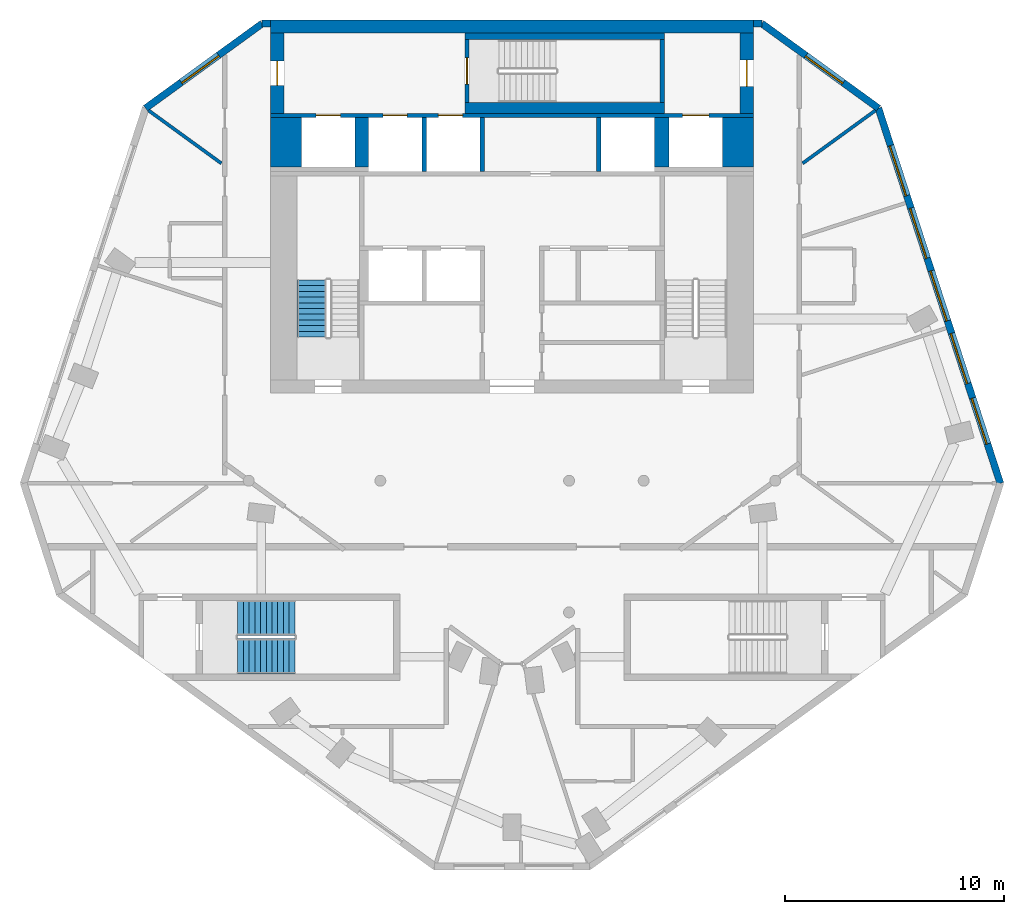
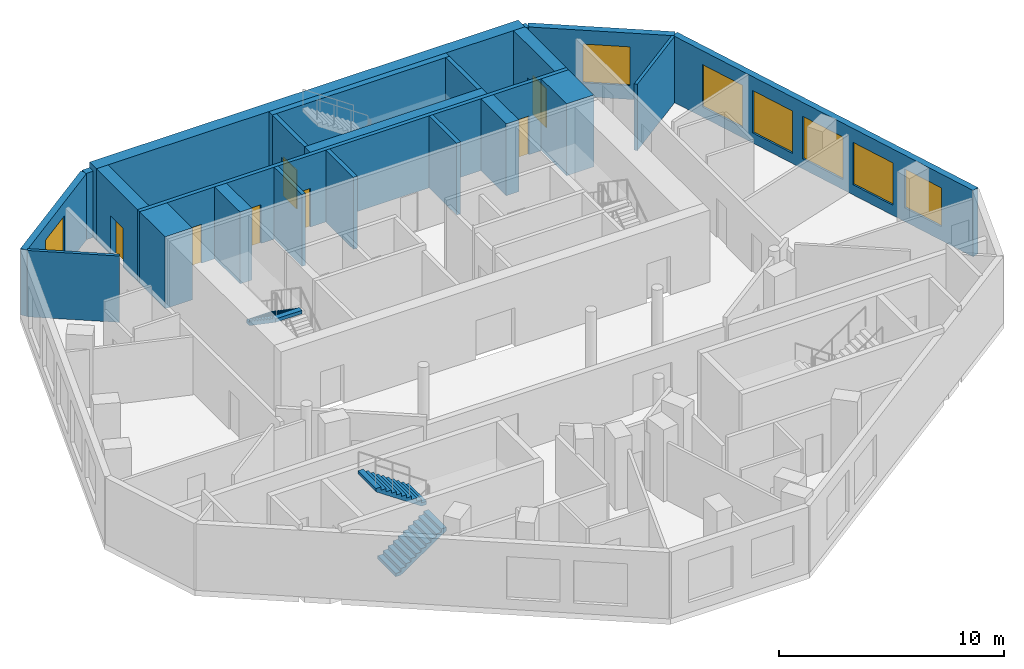
# One storey, part 5 of 8: 22 walls, 7 doors, 7 windows, 3 stair flights, 14 openings, 2 elements without a shape of their own.
"""IFC4 building model written with IfcOpenShell, lengths in metres."""

from ifc_helpers import new_model, si_unit, direction, frame, frame_2d, origin, place, context, subcontext, project, spatial, polyline, rectangle, outline, extrude, material, layer, layer_set, type_object, element, fill, aggregate, save


model = new_model("IFC4")

# Units and contexts
model_context = context("Model", 3, precision=1e-05, world=origin(), true_north=direction((0.0, 1.0)))
body_context = subcontext(model_context, "Body", "Model", "MODEL_VIEW")
ifc_project = project(units=[si_unit("LENGTHUNIT", "METRE"), si_unit("AREAUNIT", "SQUARE_METRE"), si_unit("VOLUMEUNIT", "CUBIC_METRE"), si_unit("PLANEANGLEUNIT", "RADIAN"), si_unit("MASSUNIT", "GRAM", prefix="KILO")], contexts=[model_context])

# Site, building, storey
site_placement = place(None, origin())
site = spatial("IfcSite", under=ifc_project, at=site_placement, CompositionType="ELEMENT")
building_placement = place(site_placement, origin())
building = spatial("IfcBuilding", under=site, at=building_placement, Name="White Candle Pilgrim Tower", CompositionType="ELEMENT")
storey_placement = place(building_placement, frame((0.0, 0.0, 313.89990234375)))
storey = spatial("IfcBuildingStorey", under=building, at=storey_placement, Name="L74", CompositionType="ELEMENT", Elevation=313.89990234375)

# Walls
ifc_material_1 = material(Name="Concrete C40/50", Category="concrete")
ifc_layer_1 = layer(ifc_material_1, 1.39990234375)
ifc_layer_set_1 = layer_set([ifc_layer_1], Name="Core wall 1400 mm Concrete C40/50")
wall_type_1 = type_object("IfcWallType", Name="Core wall 1400 mm Concrete C40/50", PredefinedType="SHEAR", material=ifc_layer_set_1)
for number, where, z_axis, x_axis, name in (
    (1, (59.699951171875, 81.300048828125, 0.0), (0.0, 0.0, 1.0), (0.0, 1.0, 0.0), "WL-L74-C39"),
    (2, (80.300048828125, 81.300048828125, 0.0), (0.0, 0.0, 1.0), (0.0, 1.0, 0.0), "WL-L74-C42"),
):
    element("IfcWall", number, at=place(storey_placement, frame(where, z_axis=z_axis, x_axis=x_axis)), inside=storey, type_object=wall_type_1, Name=name, PredefinedType="SHEAR", context=body_context, shape_type="SweptSolid", body=[
        extrude(rectangle(XDim=2.25, YDim=1.39990234375, at=frame_2d((1.125, 0.0))), origin(), (0.0, 0.0, 1.0), 3.900146484375),
    ])

# Wall, openings, doors
ifc_layer_2 = layer(ifc_material_1, 0.199951171875)
ifc_layer_set_2 = layer_set([ifc_layer_2], Name="Core wall 200 mm Concrete C40/50")
wall_type_2 = type_object("IfcWallType", Name="Core wall 200 mm Concrete C40/50", PredefinedType="SHEAR", material=ifc_layer_set_2)
wall_1_placement = place(storey_placement, frame((59.0, 83.64990234375, 0.0), z_axis=(0.0, 0.0, 1.0), x_axis=(1.0, 0.0, 0.0)))
wall_1 = element("IfcWall", 3, at=wall_1_placement, inside=storey, type_object=wall_type_2, Name="WL-L74-C43", PredefinedType="SHEAR", context=body_context, shape_type="SweptSolid", body=[
    extrude(rectangle(XDim=22.0, YDim=0.199951171875, at=frame_2d((11.0, 0.0))), origin(), (0.0, 0.0, 1.0), 3.900146484375),
])
opening_1_placement = place(wall_1_placement, frame((5.125, 0.0, 0.0)))
opening_1 = element("IfcOpeningElement", 4, at=opening_1_placement, cuts=wall_1, Name="Opening T22-016", PredefinedType="OPENING", context=body_context, shape_type="SweptSolid", body=[
    extrude(rectangle(XDim=1.10009765625, YDim=2.10009765625, at=frame_2d((0.550048828125, 1.050048828125))), frame((0.0, 0.10986328125, 0.0), z_axis=(0.0, -1.0, 0.0), x_axis=(1.0, 0.0, 0.0)), (0.0, 0.0, 1.0), 0.219970703125),
])
opening_2_placement = place(wall_1_placement, frame((7.64990234375, 0.0, 0.0)))
opening_2 = element("IfcOpeningElement", 5, at=opening_2_placement, cuts=wall_1, Name="Opening T22-017", PredefinedType="OPENING", context=body_context, shape_type="SweptSolid", body=[
    extrude(rectangle(XDim=1.10009765625, YDim=2.10009765625, at=frame_2d((0.550048828125, 1.050048828125))), frame((0.0, 0.10986328125, 0.0), z_axis=(0.0, -1.0, 0.0), x_axis=(1.0, 0.0, 0.0)), (0.0, 0.0, 1.0), 0.219970703125),
])
opening_3_placement = place(wall_1_placement, frame((18.77490234375, 0.0, 0.0)))
opening_3 = element("IfcOpeningElement", 6, at=opening_3_placement, cuts=wall_1, Name="Opening T22-018", PredefinedType="OPENING", context=body_context, shape_type="SweptSolid", body=[
    extrude(rectangle(XDim=1.199951171875, YDim=2.10009765625, at=frame_2d((0.60009765625, 1.050048828125))), frame((0.0, 0.10986328125, 0.0), z_axis=(0.0, -1.0, 0.0), x_axis=(1.0, 0.0, 0.0)), (0.0, 0.0, 1.0), 0.219970703125),
])
opening_4_placement = place(wall_1_placement, frame((2.074951171875, 0.0, 0.0)))
opening_4 = element("IfcOpeningElement", 7, at=opening_4_placement, cuts=wall_1, Name="Opening T22-019", PredefinedType="OPENING", context=body_context, shape_type="SweptSolid", body=[
    extrude(rectangle(XDim=1.10009765625, YDim=2.10009765625, at=frame_2d((0.550048828125, 1.050048828125))), frame((0.0, 0.10986328125, 0.0), z_axis=(0.0, -1.0, 0.0), x_axis=(1.0, 0.0, 0.0)), (0.0, 0.0, 1.0), 0.219970703125),
])
ifc_material_2 = material(Name="Stainless steel", Category="steel")
door_type_1 = type_object("IfcDoorType", Name="Lift landing door 1100 x 2100 EI 60", OperationType="DOUBLE_DOOR_SLIDING", PredefinedType="DOOR", material=ifc_material_2)
door_1_placement = place(opening_1_placement, origin())
door_1 = element("IfcDoor", 8, at=door_1_placement, inside=storey, type_object=door_type_1, Name="Door T22-016", OperationType="DOUBLE_DOOR_SLIDING", OverallHeight=2.10009765625, OverallWidth=1.10009765625, PredefinedType="DOOR", context=body_context, shape_type="SweptSolid", body=[
    extrude(rectangle(XDim=1.10009765625, YDim=2.10009765625, at=frame_2d((0.550048828125, 1.050048828125))), frame((0.0, 0.02490234375, 0.0), z_axis=(0.0, -1.0, 0.0), x_axis=(1.0, 0.0, 0.0)), (0.0, 0.0, 1.0), 0.050048828125),
])
fill(opening_1, door_1)
door_2_placement = place(opening_2_placement, origin())
door_2 = element("IfcDoor", 9, at=door_2_placement, inside=storey, type_object=door_type_1, Name="Door T22-017", OperationType="DOUBLE_DOOR_SLIDING", OverallHeight=2.10009765625, OverallWidth=1.10009765625, PredefinedType="DOOR", context=body_context, shape_type="SweptSolid", body=[
    extrude(rectangle(XDim=1.10009765625, YDim=2.10009765625, at=frame_2d((0.550048828125, 1.050048828125))), frame((0.0, 0.02490234375, 0.0), z_axis=(0.0, -1.0, 0.0), x_axis=(1.0, 0.0, 0.0)), (0.0, 0.0, 1.0), 0.050048828125),
])
fill(opening_2, door_2)
door_3_placement = place(opening_4_placement, origin())
door_3 = element("IfcDoor", 10, at=door_3_placement, inside=storey, type_object=door_type_1, Name="Door T22-019", OperationType="DOUBLE_DOOR_SLIDING", OverallHeight=2.10009765625, OverallWidth=1.10009765625, PredefinedType="DOOR", context=body_context, shape_type="SweptSolid", body=[
    extrude(rectangle(XDim=1.10009765625, YDim=2.10009765625, at=frame_2d((0.550048828125, 1.050048828125))), frame((0.0, 0.02490234375, 0.0), z_axis=(0.0, -1.0, 0.0), x_axis=(1.0, 0.0, 0.0)), (0.0, 0.0, 1.0), 0.050048828125),
])
fill(opening_4, door_3)
door_type_2 = type_object("IfcDoorType", Name="Lift landing door 1200 x 2100 E 60", OperationType="DOUBLE_DOOR_SLIDING", PredefinedType="DOOR", material=ifc_material_2)
door_4_placement = place(opening_3_placement, origin())
door_4 = element("IfcDoor", 11, at=door_4_placement, inside=storey, type_object=door_type_2, Name="Door T22-018", OperationType="DOUBLE_DOOR_SLIDING", OverallHeight=2.10009765625, OverallWidth=1.199951171875, PredefinedType="DOOR", context=body_context, shape_type="SweptSolid", body=[
    extrude(rectangle(XDim=1.199951171875, YDim=2.10009765625, at=frame_2d((0.60009765625, 1.050048828125))), frame((0.0, 0.02490234375, 0.0), z_axis=(0.0, -1.0, 0.0), x_axis=(1.0, 0.0, 0.0)), (0.0, 0.0, 1.0), 0.050048828125),
])
fill(opening_3, door_4)

# Wall, opening, door
ifc_layer_3 = layer(ifc_material_1, 0.60009765625)
ifc_layer_set_3 = layer_set([ifc_layer_3], Name="Core wall 600 mm Concrete C40/50")
wall_type_3 = type_object("IfcWallType", Name="Core wall 600 mm Concrete C40/50", PredefinedType="SHEAR", material=ifc_layer_set_3)
wall_2_placement = place(storey_placement, frame((59.300048828125, 83.75, 0.0), z_axis=(0.0, 0.0, 1.0), x_axis=(0.0, 1.0, 0.0)))
wall_2 = element("IfcWall", 12, at=wall_2_placement, inside=storey, type_object=wall_type_3, Name="WL-L74-C44", PredefinedType="SHEAR", context=body_context, shape_type="SweptSolid", body=[
    extrude(rectangle(XDim=3.64990234375, YDim=0.60009765625, at=frame_2d((1.824951171875, 0.0))), origin(), (0.0, 0.0, 1.0), 3.900146484375),
])
opening_5_placement = place(wall_2_placement, frame((1.27490234375, 0.0, 0.0)))
opening_5 = element("IfcOpeningElement", 13, at=opening_5_placement, cuts=wall_2, Name="Opening T22-008", PredefinedType="OPENING", context=body_context, shape_type="SweptSolid", body=[
    extrude(rectangle(XDim=1.10009765625, YDim=2.10009765625, at=frame_2d((0.550048828125, 1.050048828125))), frame((0.0, 0.31005859375, 0.0), z_axis=(0.0, -1.0, 0.0), x_axis=(1.0, 0.0, 0.0)), (0.0, 0.0, 1.0), 0.6201171875),
])
ifc_material_3 = material(Name="Steel door leaf", Category="steel")
door_type_3 = type_object("IfcDoorType", Name="Fire door 1100 x 2100 EI 60", OperationType="NOTDEFINED", PredefinedType="DOOR", material=ifc_material_3)
door_5_placement = place(opening_5_placement, origin())
door_5 = element("IfcDoor", 14, at=door_5_placement, inside=storey, type_object=door_type_3, Name="Door T22-008", OperationType="SINGLE_SWING_RIGHT", OverallHeight=2.10009765625, OverallWidth=1.10009765625, PredefinedType="DOOR", context=body_context, shape_type="SweptSolid", body=[
    extrude(rectangle(XDim=1.10009765625, YDim=2.10009765625, at=frame_2d((0.550048828125, 1.050048828125))), frame((0.0, 0.02490234375, 0.0), z_axis=(0.0, -1.0, 0.0), x_axis=(1.0, 0.0, 0.0)), (0.0, 0.0, 1.0), 0.050048828125),
])
fill(opening_5, door_5)

wall_3_placement = place(storey_placement, frame((80.699951171875, 83.75, 0.0), z_axis=(0.0, 0.0, 1.0), x_axis=(0.0, 1.0, 0.0)))
wall_3 = element("IfcWall", 15, at=wall_3_placement, inside=storey, type_object=wall_type_3, Name="WL-L74-C46", PredefinedType="SHEAR", context=body_context, shape_type="SweptSolid", body=[
    extrude(rectangle(XDim=3.64990234375, YDim=0.60009765625, at=frame_2d((1.824951171875, 0.0))), origin(), (0.0, 0.0, 1.0), 3.900146484375),
])
opening_6_placement = place(wall_3_placement, frame((1.22509765625, 0.0, 0.0)))
opening_6 = element("IfcOpeningElement", 16, at=opening_6_placement, cuts=wall_3, Name="Opening T22-009", PredefinedType="OPENING", context=body_context, shape_type="SweptSolid", body=[
    extrude(rectangle(XDim=1.199951171875, YDim=2.10009765625, at=frame_2d((0.60009765625, 1.050048828125))), frame((0.0, 0.31005859375, 0.0), z_axis=(0.0, -1.0, 0.0), x_axis=(1.0, 0.0, 0.0)), (0.0, 0.0, 1.0), 0.6201171875),
])
door_type_4 = type_object("IfcDoorType", Name="Fire door 1200 x 2100 EI 30", OperationType="NOTDEFINED", PredefinedType="DOOR", material=ifc_material_3)
door_6_placement = place(opening_6_placement, origin())
door_6 = element("IfcDoor", 17, at=door_6_placement, inside=storey, type_object=door_type_4, Name="Door T22-009", OperationType="SINGLE_SWING_LEFT", OverallHeight=2.10009765625, OverallWidth=1.199951171875, PredefinedType="DOOR", context=body_context, shape_type="SweptSolid", body=[
    extrude(rectangle(XDim=1.199951171875, YDim=2.10009765625, at=frame_2d((0.60009765625, 1.050048828125))), frame((0.0, 0.02490234375, 0.0), z_axis=(0.0, -1.0, 0.0), x_axis=(1.0, 0.0, 0.0)), (0.0, 0.0, 1.0), 0.050048828125),
])
fill(opening_6, door_6)

# Wall
wall_4_placement = place(storey_placement, frame((59.0, 87.699951171875, 0.0), z_axis=(0.0, 0.0, 1.0), x_axis=(1.0, 0.0, 0.0)))
element("IfcWall", 18, at=wall_4_placement, inside=storey, type_object=wall_type_3, Name="WL-L74-C50", PredefinedType="SHEAR", context=body_context, shape_type="SweptSolid", body=[
    extrude(rectangle(XDim=22.0, YDim=0.60009765625, at=frame_2d((11.0, 0.0))), origin(), (0.0, 0.0, 1.0), 3.900146484375),
])

# Wall, openings, windows
ifc_material_4 = material(Name="Precast concrete C40/50", Category="concrete")
ifc_layer_4 = layer(ifc_material_4, 0.320068359375)
ifc_layer_set_4 = layer_set([ifc_layer_4], Name="Facade wall EW1 precast concrete C40/50 pier wall with timber-lined reveals")
wall_type_4 = type_object("IfcWallType", Name="Facade wall EW1 precast concrete C40/50 pier wall with timber-lined reveals", PredefinedType="SOLIDWALL", material=ifc_layer_set_4)
wall_5_placement = place(storey_placement, frame((92.255859375, 66.8837890625, 0.0), z_axis=(0.0, 0.0, 1.0), x_axis=(-0.309017883781, 0.951056227309, 0.0)))
wall_5 = element("IfcWall", 19, at=wall_5_placement, inside=storey, type_object=wall_type_4, Name="Facade wall L74 ENE", PredefinedType="SOLIDWALL", context=body_context, shape_type="SweptSolid", body=[
    extrude(rectangle(XDim=17.972900390625, YDim=0.320068359375, at=frame_2d((8.986328125, 0.0))), origin(), (0.0, 0.0, 1.0), 3.60009765625),
])
opening_7_placement = place(wall_5_placement, frame((1.886474609375, 0.0, 0.75)))
opening_7 = element("IfcOpeningElement", 20, at=opening_7_placement, cuts=wall_5, Name="Opening W4", PredefinedType="OPENING", context=body_context, shape_type="SweptSolid", body=[
    extrude(rectangle(XDim=2.199951171875, YDim=2.10009765625, at=frame_2d((1.10009765625, 1.050048828125))), frame((0.0, 0.169921875, 0.0), z_axis=(0.0, -1.0, 0.0), x_axis=(1.0, 0.0, 0.0)), (0.0, 0.0, 1.0), 0.340087890625),
])
opening_8_placement = place(wall_5_placement, frame((4.78662109375, 0.0, 0.550048828125)))
opening_8 = element("IfcOpeningElement", 21, at=opening_8_placement, cuts=wall_5, Name="Opening W5", PredefinedType="OPENING", context=body_context, shape_type="SweptSolid", body=[
    extrude(rectangle(XDim=2.39990234375, YDim=2.300048828125, at=frame_2d((1.199951171875, 1.14990234375))), frame((0.0, 0.169921875, 0.0), z_axis=(0.0, -1.0, 0.0), x_axis=(1.0, 0.0, 0.0)), (0.0, 0.0, 1.0), 0.340087890625),
])
opening_9_placement = place(wall_5_placement, frame((7.78662109375, 0.0, 0.550048828125)))
opening_9 = element("IfcOpeningElement", 22, at=opening_9_placement, cuts=wall_5, Name="Opening W5", PredefinedType="OPENING", context=body_context, shape_type="SweptSolid", body=[
    extrude(rectangle(XDim=2.39990234375, YDim=2.300048828125, at=frame_2d((1.199951171875, 1.14990234375))), frame((0.0, 0.169921875, 0.0), z_axis=(0.0, -1.0, 0.0), x_axis=(1.0, 0.0, 0.0)), (0.0, 0.0, 1.0), 0.340087890625),
])
opening_10_placement = place(wall_5_placement, frame((10.78662109375, 0.0, 0.550048828125)))
opening_10 = element("IfcOpeningElement", 23, at=opening_10_placement, cuts=wall_5, Name="Opening W5", PredefinedType="OPENING", context=body_context, shape_type="SweptSolid", body=[
    extrude(rectangle(XDim=2.39990234375, YDim=2.300048828125, at=frame_2d((1.199951171875, 1.14990234375))), frame((0.0, 0.169921875, 0.0), z_axis=(0.0, -1.0, 0.0), x_axis=(1.0, 0.0, 0.0)), (0.0, 0.0, 1.0), 0.340087890625),
])
opening_11_placement = place(wall_5_placement, frame((13.78662109375, 0.0, 0.550048828125)))
opening_11 = element("IfcOpeningElement", 24, at=opening_11_placement, cuts=wall_5, Name="Opening W5", PredefinedType="OPENING", context=body_context, shape_type="SweptSolid", body=[
    extrude(rectangle(XDim=2.39990234375, YDim=2.300048828125, at=frame_2d((1.199951171875, 1.14990234375))), frame((0.0, 0.169921875, 0.0), z_axis=(0.0, -1.0, 0.0), x_axis=(1.0, 0.0, 0.0)), (0.0, 0.0, 1.0), 0.340087890625),
])
ifc_material_5 = material(Name="Timber frame with triple glazing", Category="wood")
window_type_1 = type_object("IfcWindowType", Name="Window W4 2200x2100 timber frame triple glazing", PartitioningType="SINGLE_PANEL", PredefinedType="WINDOW", material=ifc_material_5)
window_1_placement = place(opening_7_placement, origin())
window_1 = element("IfcWindow", 25, at=window_1_placement, inside=storey, type_object=window_type_1, Name="Window W4 L74 ENE 1", OverallHeight=2.10009765625, OverallWidth=2.199951171875, PartitioningType="SINGLE_PANEL", PredefinedType="WINDOW", context=body_context, shape_type="SweptSolid", body=[
    extrude(rectangle(XDim=2.199951171875, YDim=2.10009765625, at=frame_2d((1.10009765625, 1.050048828125))), frame((0.0, 0.070068359375, 0.0), z_axis=(0.0, -1.0, 0.0), x_axis=(1.0, 0.0, 0.0)), (0.0, 0.0, 1.0), 0.06005859375),
])
fill(opening_7, window_1)
window_type_2 = type_object("IfcWindowType", Name="Window W5 2400x2300 timber frame triple glazing", PartitioningType="SINGLE_PANEL", PredefinedType="WINDOW", material=ifc_material_5)
window_2_placement = place(opening_8_placement, origin())
window_2 = element("IfcWindow", 26, at=window_2_placement, inside=storey, type_object=window_type_2, Name="Window W5 L74 ENE 2", OverallHeight=2.300048828125, OverallWidth=2.39990234375, PartitioningType="SINGLE_PANEL", PredefinedType="WINDOW", context=body_context, shape_type="SweptSolid", body=[
    extrude(rectangle(XDim=2.39990234375, YDim=2.300048828125, at=frame_2d((1.199951171875, 1.14990234375))), frame((0.0, 0.070068359375, 0.0), z_axis=(0.0, -1.0, 0.0), x_axis=(1.0, 0.0, 0.0)), (0.0, 0.0, 1.0), 0.06005859375),
])
fill(opening_8, window_2)
window_3_placement = place(opening_9_placement, origin())
window_3 = element("IfcWindow", 27, at=window_3_placement, inside=storey, type_object=window_type_2, Name="Window W5 L74 ENE 3", OverallHeight=2.300048828125, OverallWidth=2.39990234375, PartitioningType="SINGLE_PANEL", PredefinedType="WINDOW", context=body_context, shape_type="SweptSolid", body=[
    extrude(rectangle(XDim=2.39990234375, YDim=2.300048828125, at=frame_2d((1.199951171875, 1.14990234375))), frame((0.0, 0.070068359375, 0.0), z_axis=(0.0, -1.0, 0.0), x_axis=(1.0, 0.0, 0.0)), (0.0, 0.0, 1.0), 0.06005859375),
])
fill(opening_9, window_3)
window_4_placement = place(opening_10_placement, origin())
window_4 = element("IfcWindow", 28, at=window_4_placement, inside=storey, type_object=window_type_2, Name="Window W5 L74 ENE 4", OverallHeight=2.300048828125, OverallWidth=2.39990234375, PartitioningType="SINGLE_PANEL", PredefinedType="WINDOW", context=body_context, shape_type="SweptSolid", body=[
    extrude(rectangle(XDim=2.39990234375, YDim=2.300048828125, at=frame_2d((1.199951171875, 1.14990234375))), frame((0.0, 0.070068359375, 0.0), z_axis=(0.0, -1.0, 0.0), x_axis=(1.0, 0.0, 0.0)), (0.0, 0.0, 1.0), 0.06005859375),
])
fill(opening_10, window_4)
window_5_placement = place(opening_11_placement, origin())
window_5 = element("IfcWindow", 29, at=window_5_placement, inside=storey, type_object=window_type_2, Name="Window W5 L74 ENE 5", OverallHeight=2.300048828125, OverallWidth=2.39990234375, PartitioningType="SINGLE_PANEL", PredefinedType="WINDOW", context=body_context, shape_type="SweptSolid", body=[
    extrude(rectangle(XDim=2.39990234375, YDim=2.300048828125, at=frame_2d((1.199951171875, 1.14990234375))), frame((0.0, 0.070068359375, 0.0), z_axis=(0.0, -1.0, 0.0), x_axis=(1.0, 0.0, 0.0)), (0.0, 0.0, 1.0), 0.06005859375),
])
fill(opening_11, window_5)

# Wall, opening, window
wall_6_placement = place(storey_placement, frame((86.701904296875, 83.97705078125, 0.0), z_axis=(0.0, 0.0, 1.0), x_axis=(-0.809010691028, 0.587793928007, 0.0)))
wall_6 = element("IfcWall", 30, at=wall_6_placement, inside=storey, type_object=wall_type_4, Name="Facade wall L74 NE chamfer", PredefinedType="SOLIDWALL", context=body_context, shape_type="SweptSolid", body=[
    extrude(rectangle(XDim=6.572021484375, YDim=0.320068359375, at=frame_2d((3.2861328125, 0.0))), origin(), (0.0, 0.0, 1.0), 3.60009765625),
])
opening_12_placement = place(wall_6_placement, frame((1.98583984375, 0.0, 0.75)))
opening_12 = element("IfcOpeningElement", 31, at=opening_12_placement, cuts=wall_6, Name="Opening W3", PredefinedType="OPENING", context=body_context, shape_type="SweptSolid", body=[
    extrude(rectangle(XDim=2.10009765625, YDim=2.10009765625, at=frame_2d((1.050048828125, 1.050048828125))), frame((0.0, 0.169921875, 0.0), z_axis=(0.0, -1.0, 0.0), x_axis=(1.0, 0.0, 0.0)), (0.0, 0.0, 1.0), 0.340087890625),
])
window_type_3 = type_object("IfcWindowType", Name="Window W3 2100x2100 timber frame triple glazing", PartitioningType="SINGLE_PANEL", PredefinedType="WINDOW", material=ifc_material_5)
window_6_placement = place(opening_12_placement, origin())
window_6 = element("IfcWindow", 32, at=window_6_placement, inside=storey, type_object=window_type_3, Name="Window W3 L74 NE chamfer 1", OverallHeight=2.10009765625, OverallWidth=2.10009765625, PartitioningType="SINGLE_PANEL", PredefinedType="WINDOW", context=body_context, shape_type="SweptSolid", body=[
    extrude(rectangle(XDim=2.10009765625, YDim=2.10009765625, at=frame_2d((1.050048828125, 1.050048828125))), frame((0.0, 0.070068359375, 0.0), z_axis=(0.0, -1.0, 0.0), x_axis=(1.0, 0.0, 0.0)), (0.0, 0.0, 1.0), 0.06005859375),
])
fill(opening_12, window_6)

# Walls
for number, where, z_axis, x_axis, name in (
    (33, (81.385009765625, 87.840087890625, 0.0), (0.0, 0.0, 1.0), (-1.0, 0.0, 0.0), "Facade wall L74 N"),
    (34, (59.0, 87.840087890625, 0.0), (0.0, 0.0, 1.0), (-1.0, 0.0, 0.0), "Facade wall L74 N"),
):
    element("IfcWall", number, at=place(storey_placement, frame(where, z_axis=z_axis, x_axis=x_axis)), inside=storey, type_object=wall_type_4, Name=name, PredefinedType="SOLIDWALL", context=body_context, shape_type="SweptSolid", body=[
        extrude(rectangle(XDim=0.385009765625, YDim=0.320068359375, at=frame_2d((0.1923828125, 0.0))), origin(), (0.0, 0.0, 1.0), 3.60009765625),
    ])

# Wall, opening, window
wall_7_placement = place(storey_placement, frame((58.614990234375, 87.840087890625, 0.0), z_axis=(0.0, 0.0, 1.0), x_axis=(-0.809010691028, -0.587793928007, 0.0)))
wall_7 = element("IfcWall", 35, at=wall_7_placement, inside=storey, type_object=wall_type_4, Name="Facade wall L74 NW chamfer", PredefinedType="SOLIDWALL", context=body_context, shape_type="SweptSolid", body=[
    extrude(rectangle(XDim=6.572021484375, YDim=0.320068359375, at=frame_2d((3.2861328125, 0.0))), origin(), (0.0, 0.0, 1.0), 3.60009765625),
])
opening_13_placement = place(wall_7_placement, frame((2.459716796875, 0.0, 0.75)))
opening_13 = element("IfcOpeningElement", 36, at=opening_13_placement, cuts=wall_7, Name="Opening W3", PredefinedType="OPENING", context=body_context, shape_type="SweptSolid", body=[
    extrude(rectangle(XDim=2.10009765625, YDim=2.10009765625, at=frame_2d((1.050048828125, 1.050048828125))), frame((0.0, 0.169921875, 0.0), z_axis=(0.0, -1.0, 0.0), x_axis=(1.0, 0.0, 0.0)), (0.0, 0.0, 1.0), 0.340087890625),
])
window_7_placement = place(opening_13_placement, origin())
window_7 = element("IfcWindow", 37, at=window_7_placement, inside=storey, type_object=window_type_3, Name="Window W3 L74 NW chamfer 1", OverallHeight=2.10009765625, OverallWidth=2.10009765625, PartitioningType="SINGLE_PANEL", PredefinedType="WINDOW", context=body_context, shape_type="SweptSolid", body=[
    extrude(rectangle(XDim=2.10009765625, YDim=2.10009765625, at=frame_2d((1.050048828125, 1.050048828125))), frame((0.0, 0.070068359375, 0.0), z_axis=(0.0, -1.0, 0.0), x_axis=(1.0, 0.0, 0.0)), (0.0, 0.0, 1.0), 0.06005859375),
])
fill(opening_13, window_7)

# Walls
ifc_material_6 = material(Name="Gypsum board on steel studs", Category="steel")
ifc_layer_5 = layer(ifc_material_6, 0.14990234375)
ifc_layer_set_5 = layer_set([ifc_layer_5], Name="Partition 150 mm EI 60")
wall_type_5 = type_object("IfcWallType", Name="Partition 150 mm EI 60", PredefinedType="PARTITIONING", material=ifc_layer_set_5)
for number, where, z_axis, x_axis, name in (
    (38, (53.434326171875, 83.87841796875, 0.0), (0.0, 0.0, 1.0), (0.809005997221, -0.587800388279, 0.0), "WL-L74-P015"),
    (39, (86.565673828125, 83.87841796875, 0.0), (0.0, 0.0, 1.0), (-0.809005997221, -0.587800388279, 0.0), "WL-L74-P024"),
):
    element("IfcWall", number, at=place(storey_placement, frame(where, z_axis=z_axis, x_axis=x_axis)), inside=storey, type_object=wall_type_5, Name=name, PredefinedType="PARTITIONING", context=body_context, shape_type="SweptSolid", body=[
        extrude(rectangle(XDim=4.105712890625, YDim=0.14990234375, at=frame_2d((2.052734375, 0.0))), origin(), (0.0, 0.0, 1.0), 3.60009765625),
    ])
ifc_layer_6 = layer(ifc_material_1, 0.199951171875)
ifc_layer_set_6 = layer_set([ifc_layer_6], Name="Shaft wall 200 mm Concrete C40/50")
wall_type_6 = type_object("IfcWallType", Name="Shaft wall 200 mm Concrete C40/50", PredefinedType="SHEAR", material=ifc_layer_set_6)
for number, where, z_axis, x_axis, name in (
    (40, (66.0, 81.10009765625, 0.0), (0.0, 0.0, 1.0), (0.0, 1.0, 0.0), "WL-L74-C35"),
    (41, (68.64990234375, 81.10009765625, 0.0), (0.0, 0.0, 1.0), (0.0, 1.0, 0.0), "WL-L74-C36"),
    (42, (73.949951171875, 81.10009765625, 0.0), (0.0, 0.0, 1.0), (0.0, 1.0, 0.0), "WL-L74-C37"),
):
    element("IfcWall", number, at=place(storey_placement, frame(where, z_axis=z_axis, x_axis=x_axis)), inside=storey, type_object=wall_type_6, Name=name, PredefinedType="SHEAR", context=body_context, shape_type="SweptSolid", body=[
        extrude(rectangle(XDim=2.449951171875, YDim=0.199951171875, at=frame_2d((1.22509765625, 0.0))), origin(), (0.0, 0.0, 1.0), 3.900146484375),
    ])
ifc_layer_7 = layer(ifc_material_1, 0.60009765625)
ifc_layer_set_7 = layer_set([ifc_layer_7], Name="Shaft wall 600 mm Concrete C40/50")
wall_type_7 = type_object("IfcWallType", Name="Shaft wall 600 mm Concrete C40/50", PredefinedType="SHEAR", material=ifc_layer_set_7)
wall_8_placement = place(storey_placement, frame((63.14990234375, 81.300048828125, 0.0), z_axis=(0.0, 0.0, 1.0), x_axis=(0.0, 1.0, 0.0)))
element("IfcWall", 43, at=wall_8_placement, inside=storey, type_object=wall_type_7, Name="WL-L74-C40", PredefinedType="SHEAR", context=body_context, shape_type="SweptSolid", body=[
    extrude(rectangle(XDim=2.25, YDim=0.60009765625, at=frame_2d((1.125, 0.0))), origin(), (0.0, 0.0, 1.0), 3.900146484375),
])
ifc_layer_8 = layer(ifc_material_1, 0.64990234375)
ifc_layer_set_8 = layer_set([ifc_layer_8], Name="Shaft wall 650 mm Concrete C40/50")
wall_type_8 = type_object("IfcWallType", Name="Shaft wall 650 mm Concrete C40/50", PredefinedType="SHEAR", material=ifc_layer_set_8)
wall_9_placement = place(storey_placement, frame((76.824951171875, 81.300048828125, 0.0), z_axis=(0.0, 0.0, 1.0), x_axis=(0.0, 1.0, 0.0)))
element("IfcWall", 44, at=wall_9_placement, inside=storey, type_object=wall_type_8, Name="WL-L74-C41", PredefinedType="SHEAR", context=body_context, shape_type="SweptSolid", body=[
    extrude(rectangle(XDim=2.25, YDim=0.64990234375, at=frame_2d((1.125, 0.0))), origin(), (0.0, 0.0, 1.0), 3.900146484375),
])

# Wall, opening, door
ifc_layer_9 = layer(ifc_material_1, 0.199951171875)
ifc_layer_set_9 = layer_set([ifc_layer_9], Name="Stair shaft wall 200 mm Concrete C40/50")
wall_type_9 = type_object("IfcWallType", Name="Stair shaft wall 200 mm Concrete C40/50", PredefinedType="SHEAR", material=ifc_layer_set_9)
wall_10_placement = place(storey_placement, frame((67.949951171875, 84.25, 0.0), z_axis=(0.0, 0.0, 1.0), x_axis=(0.0, 1.0, 0.0)))
wall_10 = element("IfcWall", 45, at=wall_10_placement, inside=storey, type_object=wall_type_9, Name="WL-L74-C47", PredefinedType="SHEAR", context=body_context, shape_type="SweptSolid", body=[
    extrude(rectangle(XDim=2.85009765625, YDim=0.199951171875, at=frame_2d((1.425048828125, 0.0))), origin(), (0.0, 0.0, 1.0), 3.900146484375),
])
opening_14_placement = place(wall_10_placement, frame((0.824951171875, 0.0, 0.0)))
opening_14 = element("IfcOpeningElement", 46, at=opening_14_placement, cuts=wall_10, Name="Opening T22-003", PredefinedType="OPENING", context=body_context, shape_type="SweptSolid", body=[
    extrude(rectangle(XDim=1.199951171875, YDim=2.10009765625, at=frame_2d((0.60009765625, 1.050048828125))), frame((0.0, 0.10986328125, 0.0), z_axis=(0.0, -1.0, 0.0), x_axis=(1.0, 0.0, 0.0)), (0.0, 0.0, 1.0), 0.219970703125),
])
door_type_5 = type_object("IfcDoorType", Name="Fire door 1200 x 2100 EI 60", OperationType="NOTDEFINED", PredefinedType="DOOR", material=ifc_material_3)
door_7_placement = place(opening_14_placement, frame((1.199951171875, 0.0, 0.0), z_axis=(0.0, 0.0, 1.0), x_axis=(-1.0, 0.0, 0.0)))
door_7 = element("IfcDoor", 47, at=door_7_placement, inside=storey, type_object=door_type_5, Name="Door T22-003", OperationType="SINGLE_SWING_RIGHT", OverallHeight=2.10009765625, OverallWidth=1.199951171875, PredefinedType="DOOR", context=body_context, shape_type="SweptSolid", body=[
    extrude(rectangle(XDim=1.199951171875, YDim=2.10009765625, at=frame_2d((0.60009765625, 1.050048828125))), frame((0.0, 0.02490234375, 0.0), z_axis=(0.0, -1.0, 0.0), x_axis=(1.0, 0.0, 0.0)), (0.0, 0.0, 1.0), 0.050048828125),
])
fill(opening_14, door_7)

# Walls
wall_11_placement = place(storey_placement, frame((76.85009765625, 84.25, 0.0), z_axis=(0.0, 0.0, 1.0), x_axis=(0.0, 1.0, 0.0)))
element("IfcWall", 48, at=wall_11_placement, inside=storey, type_object=wall_type_9, Name="WL-L74-C48", PredefinedType="SHEAR", context=body_context, shape_type="SweptSolid", body=[
    extrude(rectangle(XDim=2.85009765625, YDim=0.199951171875, at=frame_2d((1.425048828125, 0.0))), origin(), (0.0, 0.0, 1.0), 3.900146484375),
])
ifc_layer_10 = layer(ifc_material_1, 0.300048828125)
ifc_layer_set_10 = layer_set([ifc_layer_10], Name="Stair shaft wall 300 mm Concrete C40/50")
wall_type_10 = type_object("IfcWallType", Name="Stair shaft wall 300 mm Concrete C40/50", PredefinedType="SHEAR", material=ifc_layer_set_10)
wall_12_placement = place(storey_placement, frame((67.85009765625, 87.25, 0.0), z_axis=(0.0, 0.0, 1.0), x_axis=(1.0, 0.0, 0.0)))
element("IfcWall", 49, at=wall_12_placement, inside=storey, type_object=wall_type_10, Name="WL-L74-C49", PredefinedType="SHEAR", context=body_context, shape_type="SweptSolid", body=[
    extrude(rectangle(XDim=9.099853515625, YDim=0.300048828125, at=frame_2d((4.5498046875, 0.0))), origin(), (0.0, 0.0, 1.0), 3.900146484375),
])
ifc_layer_11 = layer(ifc_material_1, 0.5)
ifc_layer_set_11 = layer_set([ifc_layer_11], Name="Stair shaft wall 500 mm Concrete C40/50")
wall_type_11 = type_object("IfcWallType", Name="Stair shaft wall 500 mm Concrete C40/50", PredefinedType="SHEAR", material=ifc_layer_set_11)
wall_13_placement = place(storey_placement, frame((67.85009765625, 84.0, 0.0), z_axis=(0.0, 0.0, 1.0), x_axis=(1.0, 0.0, 0.0)))
element("IfcWall", 50, at=wall_13_placement, inside=storey, type_object=wall_type_11, Name="WL-L74-C45", PredefinedType="SHEAR", context=body_context, shape_type="SweptSolid", body=[
    extrude(rectangle(XDim=9.099853515625, YDim=0.5, at=frame_2d((4.5498046875, 0.0))), origin(), (0.0, 0.0, 1.0), 3.900146484375),
])

# Stair, stair flight
stair_type_1 = type_object("IfcStairType", Name="Exit stair 1 flight width 1350 mm", PredefinedType="HALF_TURN_STAIR", material=ifc_material_1)
stair_1_placement = place(storey_placement, origin())
stair_1 = element("IfcStair", 51, at=stair_1_placement, inside=storey, type_object=stair_type_1, Name="L74 stair 1", PredefinedType="NOTDEFINED")
ifc_layer_12 = layer(ifc_material_1, 0.14990234375)
ifc_layer_set_12 = layer_set([ifc_layer_12], Name="Stair flight Concrete C40/50")
stair_flight_type = type_object("IfcStairFlightType", Name="Stair flight Concrete C40/50", PredefinedType="STRAIGHT", material=ifc_layer_set_12)
stair_flight_1_placement = place(storey_placement, frame((60.875, 76.14990234375, 1.9501953125), z_axis=(0.0, 0.0, 1.0), x_axis=(0.0, -1.0, 0.0)))
stair_flight_1 = element("IfcStairFlight", 52, at=stair_flight_1_placement, type_object=stair_flight_type, Name="ST1 flight 2", NumberOfRisers=11, NumberOfTreads=10, PredefinedType="NOTDEFINED", RiserHeight=0.177272727, TreadLength=0.26, context=body_context, shape_type="SweptSolid", body=[
    extrude(outline(polyline([(0.0, 0.0), (0.0, 0.17724609375), (0.260009765625, 0.17724609375), (0.260009765625, 0.3544921875), (0.52001953125, 0.3544921875), (0.52001953125, 0.53173828125), (0.780029296875, 0.53173828125), (0.780029296875, 0.708984375), (1.0400390625, 0.708984375), (1.0400390625, 0.886474609375), (1.300048828125, 0.886474609375), (1.300048828125, 1.063720703125), (1.56005859375, 1.063720703125), (1.56005859375, 1.240966796875), (1.820068359375, 1.240966796875), (1.820068359375, 1.418212890625), (2.080078125, 1.418212890625), (2.080078125, 1.595458984375), (2.340087890625, 1.595458984375), (2.340087890625, 1.772705078125), (2.60009765625, 1.772705078125), (2.60009765625, 1.949951171875), (2.60009765625, 1.59130859375), (0.26611328125, 0.0), (0.0, 0.0)])), frame((0.0, 0.675048828125, 0.0), z_axis=(0.0, -1.0, 0.0), x_axis=(1.0, 0.0, 0.0)), (0.0, 0.0, 1.0), 1.35009765625),
])
aggregate(stair_1, [stair_flight_1])

# Stair, stair flights
stair_type_2 = type_object("IfcStairType", Name="Exit stair 5 flight width 1600 mm", PredefinedType="HALF_TURN_STAIR", material=ifc_material_1)
stair_2_placement = place(storey_placement, origin())
stair_2 = element("IfcStair", 53, at=stair_2_placement, inside=storey, type_object=stair_type_2, Name="L74 stair 5", PredefinedType="NOTDEFINED")
stair_flight_2_placement = place(storey_placement, frame((57.5, 59.0, 0.0), z_axis=(0.0, 0.0, 1.0), x_axis=(1.0, 0.0, 0.0)))
stair_flight_2 = element("IfcStairFlight", 54, at=stair_flight_2_placement, type_object=stair_flight_type, Name="ST5 flight 1", NumberOfRisers=11, NumberOfTreads=10, PredefinedType="NOTDEFINED", RiserHeight=0.177272727, TreadLength=0.26, context=body_context, shape_type="SweptSolid", body=[
    extrude(outline(polyline([(0.0, 0.0), (0.0, 0.17724609375), (0.260009765625, 0.17724609375), (0.260009765625, 0.3544921875), (0.52001953125, 0.3544921875), (0.52001953125, 0.53173828125), (0.780029296875, 0.53173828125), (0.780029296875, 0.708984375), (1.0400390625, 0.708984375), (1.0400390625, 0.886474609375), (1.300048828125, 0.886474609375), (1.300048828125, 1.063720703125), (1.56005859375, 1.063720703125), (1.56005859375, 1.240966796875), (1.820068359375, 1.240966796875), (1.820068359375, 1.418212890625), (2.080078125, 1.418212890625), (2.080078125, 1.595458984375), (2.340087890625, 1.595458984375), (2.340087890625, 1.772705078125), (2.60009765625, 1.772705078125), (2.60009765625, 1.949951171875), (2.60009765625, 1.59130859375), (0.26611328125, 0.0), (0.0, 0.0)])), frame((0.0, 0.800048828125, 0.0), z_axis=(0.0, -1.0, 0.0), x_axis=(1.0, 0.0, 0.0)), (0.0, 0.0, 1.0), 1.60009765625),
])
stair_flight_3_placement = place(storey_placement, frame((60.10009765625, 60.75, 1.9501953125), z_axis=(0.0, 0.0, 1.0), x_axis=(-1.0, 0.0, 0.0)))
stair_flight_3 = element("IfcStairFlight", 55, at=stair_flight_3_placement, type_object=stair_flight_type, Name="ST5 flight 2", NumberOfRisers=11, NumberOfTreads=10, PredefinedType="NOTDEFINED", RiserHeight=0.177272727, TreadLength=0.26, context=body_context, shape_type="SweptSolid", body=[
    extrude(outline(polyline([(0.0, 0.0), (0.0, 0.17724609375), (0.260009765625, 0.17724609375), (0.260009765625, 0.3544921875), (0.52001953125, 0.3544921875), (0.52001953125, 0.53173828125), (0.780029296875, 0.53173828125), (0.780029296875, 0.708984375), (1.0400390625, 0.708984375), (1.0400390625, 0.886474609375), (1.300048828125, 0.886474609375), (1.300048828125, 1.063720703125), (1.56005859375, 1.063720703125), (1.56005859375, 1.240966796875), (1.820068359375, 1.240966796875), (1.820068359375, 1.418212890625), (2.080078125, 1.418212890625), (2.080078125, 1.595458984375), (2.340087890625, 1.595458984375), (2.340087890625, 1.772705078125), (2.60009765625, 1.772705078125), (2.60009765625, 1.949951171875), (2.60009765625, 1.59130859375), (0.26611328125, 0.0), (0.0, 0.0)])), frame((0.0, 0.800048828125, 0.0), z_axis=(0.0, -1.0, 0.0), x_axis=(1.0, 0.0, 0.0)), (0.0, 0.0, 1.0), 1.60009765625),
])
aggregate(stair_2, [stair_flight_2, stair_flight_3])

save(model, "model.ifc")
